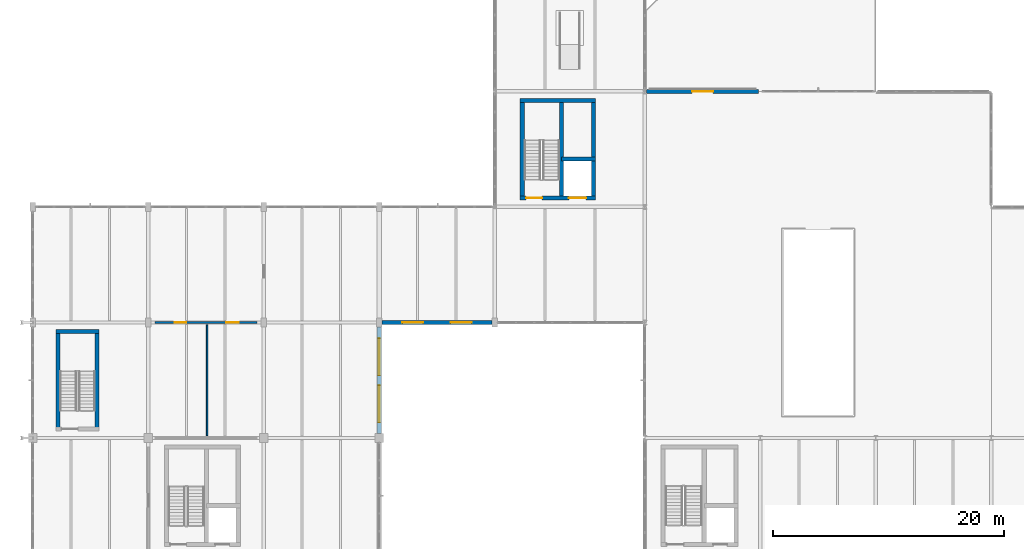
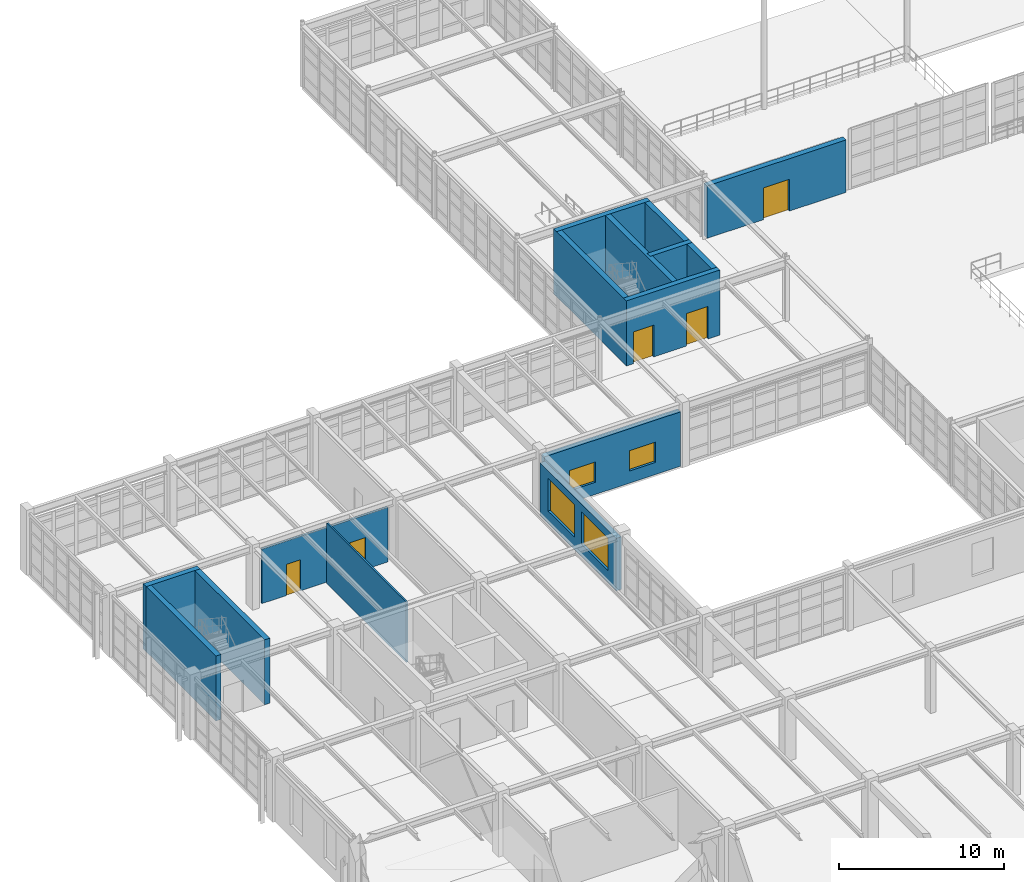
# One storey, part 119 of 139: 14 walls, 5 doors, 4 windows, 9 openings.
"""IFC4 building model written with IfcOpenShell, lengths in metres."""

from ifc_helpers import new_model, si_unit, direction, frame, frame_2d, origin, place, context, subcontext, project, spatial, rectangle, extrude, material, layer, layer_set, type_object, element, fill, save


model = new_model("IFC4")

# Units and contexts
model_context = context("Model", 3, precision=1e-05, world=origin(), true_north=direction((0.0, 1.0)))
body_context = subcontext(model_context, "Body", "Model", "MODEL_VIEW")
ifc_project = project(units=[si_unit("LENGTHUNIT", "METRE"), si_unit("AREAUNIT", "SQUARE_METRE"), si_unit("VOLUMEUNIT", "CUBIC_METRE"), si_unit("PLANEANGLEUNIT", "RADIAN"), si_unit("MASSUNIT", "GRAM", prefix="KILO"), si_unit("THERMODYNAMICTEMPERATUREUNIT", "KELVIN"), si_unit("POWERUNIT", "WATT")], contexts=[model_context])

# Site, building, storey
site_placement = place(None, origin())
site = spatial("IfcSite", under=ifc_project, at=site_placement, CompositionType="ELEMENT")
building_placement = place(site_placement, origin())
building = spatial("IfcBuilding", under=site, at=building_placement, Name="Korenveer Ferry Terminal", CompositionType="ELEMENT")
storey_placement = place(building_placement, frame((0.0, 0.0, 5.39990234375)))
storey = spatial("IfcBuildingStorey", under=building, at=storey_placement, Name="L01", CompositionType="ELEMENT", Elevation=5.39990234375)

# Wall, openings, windows
ifc_material_1 = material(Name="Insulated clinker brick masonry", Category="masonry")
ifc_layer_1 = layer(ifc_material_1, 0.3798828125)
ifc_layer_set_1 = layer_set([ifc_layer_1], Name="Insulated clinker brick masonry")
wall_type_1 = type_object("IfcWallType", Name="ENV-WL-BRK380", PredefinedType="SOLIDWALL", material=ifc_layer_set_1)
wall_1_placement = place(storey_placement, frame((30.25, 70.0, 0.0), z_axis=(0.0, 0.0, 1.0), x_axis=(1.0, 0.0, 0.0)))
wall_1 = element("IfcWall", 1, at=wall_1_placement, inside=storey, type_object=wall_type_1, Name="Exterior facade wall EWL-L01-044", PredefinedType="SOLIDWALL", context=body_context, shape_type="SweptSolid", body=[
    extrude(rectangle(XDim=9.5, YDim=0.3798828125, at=frame_2d((4.75, 0.0))), origin(), (0.0, 0.0, 1.0), 4.02001953125),
])
opening_1_placement = place(wall_1_placement, frame((1.760009765625, 0.0, 0.89990234375)))
opening_1 = element("IfcOpeningElement", 2, at=opening_1_placement, cuts=wall_1, Name="Opening WN-17", PredefinedType="OPENING", context=body_context, shape_type="SweptSolid", body=[
    extrude(rectangle(XDim=1.800048828125, YDim=1.5, at=frame_2d((0.89990234375, 0.75))), frame((0.0, 0.199951171875, 0.0), z_axis=(0.0, -1.0, 0.0), x_axis=(1.0, 0.0, 0.0)), (0.0, 0.0, 1.0), 0.39990234375),
])
opening_2_placement = place(wall_1_placement, frame((5.93994140625, 0.0, 0.89990234375)))
opening_2 = element("IfcOpeningElement", 3, at=opening_2_placement, cuts=wall_1, Name="Opening WN-17", PredefinedType="OPENING", context=body_context, shape_type="SweptSolid", body=[
    extrude(rectangle(XDim=1.800048828125, YDim=1.5, at=frame_2d((0.89990234375, 0.75))), frame((0.0, 0.199951171875, 0.0), z_axis=(0.0, -1.0, 0.0), x_axis=(1.0, 0.0, 0.0)), (0.0, 0.0, 1.0), 0.39990234375),
])
ifc_material_2 = material(Name="Low-iron triple glazing in bronze frame", Category="glass")
window_type_1 = type_object("IfcWindowType", Name="ENV-WN-17", PartitioningType="SINGLE_PANEL", PredefinedType="WINDOW", material=ifc_material_2)
window_1_placement = place(opening_1_placement, origin())
window_1 = element("IfcWindow", 4, at=window_1_placement, inside=storey, type_object=window_type_1, Name="Lancet facade window 43", OverallHeight=1.5, OverallWidth=1.800048828125, PartitioningType="SINGLE_PANEL", PredefinedType="WINDOW", context=body_context, shape_type="SweptSolid", body=[
    extrude(rectangle(XDim=1.800048828125, YDim=1.5, at=frame_2d((0.89990234375, 0.75))), frame((0.0, 0.030029296875, 0.0), z_axis=(0.0, -1.0, 0.0), x_axis=(1.0, 0.0, 0.0)), (0.0, 0.0, 1.0), 0.06005859375),
])
fill(opening_1, window_1)
window_2_placement = place(opening_2_placement, origin())
window_2 = element("IfcWindow", 5, at=window_2_placement, inside=storey, type_object=window_type_1, Name="Lancet facade window 44", OverallHeight=1.5, OverallWidth=1.800048828125, PartitioningType="SINGLE_PANEL", PredefinedType="WINDOW", context=body_context, shape_type="SweptSolid", body=[
    extrude(rectangle(XDim=1.800048828125, YDim=1.5, at=frame_2d((0.89990234375, 0.75))), frame((0.0, 0.030029296875, 0.0), z_axis=(0.0, -1.0, 0.0), x_axis=(1.0, 0.0, 0.0)), (0.0, 0.0, 1.0), 0.06005859375),
])
fill(opening_2, window_2)

# Wall, opening, door
wall_2_placement = place(storey_placement, frame((53.14990234375, 90.0, 0.0), z_axis=(0.0, 0.0, 1.0), x_axis=(1.0, 0.0, 0.0)))
wall_2 = element("IfcWall", 6, at=wall_2_placement, inside=storey, type_object=wall_type_1, Name="Exterior facade wall EWL-L01-046", PredefinedType="SOLIDWALL", context=body_context, shape_type="SweptSolid", body=[
    extrude(rectangle(XDim=9.7001953125, YDim=0.3798828125, at=frame_2d((4.85009765625, 0.0))), origin(), (0.0, 0.0, 1.0), 3.8701171875),
])
opening_3_placement = place(wall_2_placement, frame((3.949951171875, 0.0, 0.0)))
opening_3 = element("IfcOpeningElement", 7, at=opening_3_placement, cuts=wall_2, Name="Opening TD-103", PredefinedType="OPENING", context=body_context, shape_type="SweptSolid", body=[
    extrude(rectangle(XDim=1.800048828125, YDim=2.35009765625, at=frame_2d((0.89990234375, 1.175048828125))), frame((0.0, 0.199951171875, 0.0), z_axis=(0.0, -1.0, 0.0), x_axis=(1.0, 0.0, 0.0)), (0.0, 0.0, 1.0), 0.39990234375),
])
ifc_material_3 = material(Name="Thermally broken bronze glazed door", Category="aluminium")
door_type_1 = type_object("IfcDoorType", Name="ENV-DR-TERR180", OperationType="DOUBLE_DOOR_SINGLE_SWING", PredefinedType="DOOR", material=ifc_material_3)
door_1_placement = place(opening_3_placement, origin())
door_1 = element("IfcDoor", 8, at=door_1_placement, inside=storey, type_object=door_type_1, Name="West Prow Terrace Door TD-103", OperationType="DOUBLE_DOOR_SINGLE_SWING", OverallHeight=2.35009765625, OverallWidth=1.800048828125, PredefinedType="DOOR", context=body_context, shape_type="SweptSolid", body=[
    extrude(rectangle(XDim=1.800048828125, YDim=2.35009765625, at=frame_2d((0.89990234375, 1.175048828125))), frame((0.0, 0.02490234375, 0.0), z_axis=(0.0, -1.0, 0.0), x_axis=(1.0, 0.0, 0.0)), (0.0, 0.0, 1.0), 0.050048828125),
])
fill(opening_3, door_1)

# Wall, openings, windows
wall_3_placement = place(storey_placement, frame((30.0, 69.60009765625, 0.0), z_axis=(0.0, 0.0, 1.0), x_axis=(0.0, -1.0, 0.0)))
wall_3 = element("IfcWall", 9, at=wall_3_placement, inside=storey, type_object=wall_type_1, Name="Exterior facade wall EWL-L01-050", PredefinedType="SOLIDWALL", context=body_context, shape_type="SweptSolid", body=[
    extrude(rectangle(XDim=9.22509765625, YDim=0.3798828125, at=frame_2d((4.612548828125, 0.0))), origin(), (0.0, 0.0, 1.0), 3.8701171875),
])
opening_4_placement = place(wall_3_placement, frame((0.98291015625, 0.0, 0.89990234375)))
opening_4 = element("IfcOpeningElement", 10, at=opening_4_placement, cuts=wall_3, Name="Opening WN-40", PredefinedType="OPENING", context=body_context, shape_type="SweptSolid", body=[
    extrude(rectangle(XDim=3.199951171875, YDim=2.39990234375, at=frame_2d((1.60009765625, 1.199951171875))), frame((0.0, 0.199951171875, 0.0), z_axis=(0.0, -1.0, 0.0), x_axis=(1.0, 0.0, 0.0)), (0.0, 0.0, 1.0), 0.39990234375),
])
opening_5_placement = place(wall_3_placement, frame((5.0419921875, 0.0, 0.89990234375)))
opening_5 = element("IfcOpeningElement", 11, at=opening_5_placement, cuts=wall_3, Name="Opening WN-40", PredefinedType="OPENING", context=body_context, shape_type="SweptSolid", body=[
    extrude(rectangle(XDim=3.199951171875, YDim=2.39990234375, at=frame_2d((1.60009765625, 1.199951171875))), frame((0.0, 0.199951171875, 0.0), z_axis=(0.0, -1.0, 0.0), x_axis=(1.0, 0.0, 0.0)), (0.0, 0.0, 1.0), 0.39990234375),
])
window_type_2 = type_object("IfcWindowType", Name="ENV-WN-40", PartitioningType="SINGLE_PANEL", PredefinedType="WINDOW", material=ifc_material_2)
window_3_placement = place(opening_4_placement, origin())
window_3 = element("IfcWindow", 12, at=window_3_placement, inside=storey, type_object=window_type_2, Name="Lancet facade window 51", OverallHeight=2.39990234375, OverallWidth=3.199951171875, PartitioningType="SINGLE_PANEL", PredefinedType="WINDOW", context=body_context, shape_type="SweptSolid", body=[
    extrude(rectangle(XDim=3.199951171875, YDim=2.39990234375, at=frame_2d((1.60009765625, 1.199951171875))), frame((0.0, 0.030029296875, 0.0), z_axis=(0.0, -1.0, 0.0), x_axis=(1.0, 0.0, 0.0)), (0.0, 0.0, 1.0), 0.06005859375),
])
fill(opening_4, window_3)
window_4_placement = place(opening_5_placement, origin())
window_4 = element("IfcWindow", 13, at=window_4_placement, inside=storey, type_object=window_type_2, Name="Lancet facade window 52", OverallHeight=2.39990234375, OverallWidth=3.199951171875, PartitioningType="SINGLE_PANEL", PredefinedType="WINDOW", context=body_context, shape_type="SweptSolid", body=[
    extrude(rectangle(XDim=3.199951171875, YDim=2.39990234375, at=frame_2d((1.60009765625, 1.199951171875))), frame((0.0, 0.030029296875, 0.0), z_axis=(0.0, -1.0, 0.0), x_axis=(1.0, 0.0, 0.0)), (0.0, 0.0, 1.0), 0.06005859375),
])
fill(opening_5, window_4)

# Wall, openings, doors
ifc_material_4 = material(Name="Concrete C45/55", Category="concrete")
ifc_layer_2 = layer(ifc_material_4, 0.360107421875)
ifc_layer_set_2 = layer_set([ifc_layer_2], Name="Concrete C45/55")
wall_type_2 = type_object("IfcWallType", Name="INT-WL-CORE360", PredefinedType="SHEAR", material=ifc_layer_set_2)
wall_4_placement = place(storey_placement, frame((42.199951171875, 80.780029296875, 0.0), z_axis=(0.0, 0.0, 1.0), x_axis=(1.0, 0.0, 0.0)))
wall_4 = element("IfcWall", 14, at=wall_4_placement, inside=storey, type_object=wall_type_2, Name="West Berth Pier Core K7 south shear wall L01", PredefinedType="SHEAR", context=body_context, shape_type="SweptSolid", body=[
    extrude(rectangle(XDim=6.52001953125, YDim=0.360107421875, at=frame_2d((3.260009765625, 0.0))), origin(), (0.0, 0.0, 1.0), 4.800048828125),
])
opening_6_placement = place(wall_4_placement, frame((0.510009765625, 0.0, 0.0)))
opening_6 = element("IfcOpeningElement", 15, at=opening_6_placement, cuts=wall_4, Name="Opening SD-24", PredefinedType="OPENING", context=body_context, shape_type="SweptSolid", body=[
    extrude(rectangle(XDim=1.39990234375, YDim=2.35009765625, at=frame_2d((0.699951171875, 1.175048828125))), frame((0.0, 0.18994140625, 0.0), z_axis=(0.0, -1.0, 0.0), x_axis=(1.0, 0.0, 0.0)), (0.0, 0.0, 1.0), 0.380126953125),
])
opening_7_placement = place(wall_4_placement, frame((4.2099609375, 0.0, 0.0)))
opening_7 = element("IfcOpeningElement", 16, at=opening_7_placement, cuts=wall_4, Name="Opening LD-24", PredefinedType="OPENING", context=body_context, shape_type="SweptSolid", body=[
    extrude(rectangle(XDim=1.5, YDim=2.39990234375, at=frame_2d((0.75, 1.199951171875))), frame((0.0, 0.18994140625, 0.0), z_axis=(0.0, -1.0, 0.0), x_axis=(1.0, 0.0, 0.0)), (0.0, 0.0, 1.0), 0.380126953125),
])
ifc_material_5 = material(Name="Solid hardwood and steel acoustic door", Category="steel")
door_type_2 = type_object("IfcDoorType", Name="INT-DR-LD150", OperationType="SLIDING_TO_LEFT", PredefinedType="DOOR", material=ifc_material_5)
door_2_placement = place(opening_7_placement, origin())
door_2 = element("IfcDoor", 17, at=door_2_placement, inside=storey, type_object=door_type_2, Name="Lift LG1 Sliding Landing Door L01", OperationType="SLIDING_TO_LEFT", OverallHeight=2.39990234375, OverallWidth=1.5, PredefinedType="DOOR", context=body_context, shape_type="SweptSolid", body=[
    extrude(rectangle(XDim=1.5, YDim=2.39990234375, at=frame_2d((0.75, 1.199951171875))), frame((0.0, 0.02490234375, 0.0), z_axis=(0.0, -1.0, 0.0), x_axis=(1.0, 0.0, 0.0)), (0.0, 0.0, 1.0), 0.050048828125),
])
fill(opening_7, door_2)
door_type_3 = type_object("IfcDoorType", Name="INT-DR-ST140", OperationType="NOTDEFINED", PredefinedType="DOOR", material=ifc_material_5)
door_3_placement = place(opening_6_placement, origin())
door_3 = element("IfcDoor", 18, at=door_3_placement, inside=storey, type_object=door_type_3, Name="ST07 Stair Door L01", OperationType="SINGLE_SWING_RIGHT", OverallHeight=2.35009765625, OverallWidth=1.39990234375, PredefinedType="DOOR", context=body_context, shape_type="SweptSolid", body=[
    extrude(rectangle(XDim=1.39990234375, YDim=2.35009765625, at=frame_2d((0.699951171875, 1.175048828125))), frame((0.0, 0.02490234375, 0.0), z_axis=(0.0, -1.0, 0.0), x_axis=(1.0, 0.0, 0.0)), (0.0, 0.0, 1.0), 0.050048828125),
])
fill(opening_6, door_3)

# Walls
wall_5_placement = place(storey_placement, frame((42.199951171875, 89.219970703125, 0.0), z_axis=(0.0, 0.0, 1.0), x_axis=(1.0, 0.0, 0.0)))
element("IfcWall", 19, at=wall_5_placement, inside=storey, type_object=wall_type_2, Name="West Berth Pier Core K7 north shear wall L01", PredefinedType="SHEAR", context=body_context, shape_type="SweptSolid", body=[
    extrude(rectangle(XDim=6.52001953125, YDim=0.360107421875, at=frame_2d((3.260009765625, 0.0))), origin(), (0.0, 0.0, 1.0), 4.800048828125),
])
for number, where, z_axis, x_axis, name in (
    (20, (42.3798828125, 80.60009765625, 0.0), (0.0, 0.0, 1.0), (0.0, 1.0, 0.0), "West Berth Pier Core K7 west shear wall L01"),
    (21, (48.5400390625, 80.60009765625, 0.0), (0.0, 0.0, 1.0), (0.0, 1.0, 0.0), "West Berth Pier Core K7 east shear wall L01"),
    (22, (45.780029296875, 80.60009765625, 0.0), (0.0, 0.0, 1.0), (0.0, 1.0, 0.0), "West Berth Pier Core K7 shaft divider wall L01"),
):
    element("IfcWall", number, at=place(storey_placement, frame(where, z_axis=z_axis, x_axis=x_axis)), inside=storey, type_object=wall_type_2, Name=name, PredefinedType="SHEAR", context=body_context, shape_type="SweptSolid", body=[
        extrude(rectangle(XDim=8.7998046875, YDim=0.360107421875, at=frame_2d((4.39990234375, 0.0))), origin(), (0.0, 0.0, 1.0), 4.800048828125),
    ])
wall_6_placement = place(storey_placement, frame((45.780029296875, 84.139892578125, 0.0), z_axis=(0.0, 0.0, 1.0), x_axis=(1.0, 0.0, 0.0)))
element("IfcWall", 23, at=wall_6_placement, inside=storey, type_object=wall_type_2, Name="West Berth Pier Core K7 lift shaft wall L01", PredefinedType="SHEAR", context=body_context, shape_type="SweptSolid", body=[
    extrude(rectangle(XDim=2.93994140625, YDim=0.360107421875, at=frame_2d((1.469970703125, 0.0))), origin(), (0.0, 0.0, 1.0), 4.800048828125),
])
wall_7_placement = place(storey_placement, frame((2.0, 69.219970703125, 0.0), z_axis=(0.0, 0.0, 1.0), x_axis=(1.0, 0.0, 0.0)))
element("IfcWall", 24, at=wall_7_placement, inside=storey, type_object=wall_type_2, Name="Harbourmaster North Stair Core K11 north shear wall L01", PredefinedType="SHEAR", context=body_context, shape_type="SweptSolid", body=[
    extrude(rectangle(XDim=3.760009765625, YDim=0.360107421875, at=frame_2d((1.8798828125, 0.0))), origin(), (0.0, 0.0, 1.0), 4.800048828125),
])
for number, where, z_axis, x_axis, name in (
    (25, (2.179931640625, 60.60009765625, 0.0), (0.0, 0.0, 1.0), (0.0, 1.0, 0.0), "Harbourmaster North Stair Core K11 west shear wall L01"),
    (26, (5.580078125, 60.60009765625, 0.0), (0.0, 0.0, 1.0), (0.0, 1.0, 0.0), "Harbourmaster North Stair Core K11 east shear wall L01"),
):
    element("IfcWall", number, at=place(storey_placement, frame(where, z_axis=z_axis, x_axis=x_axis)), inside=storey, type_object=wall_type_2, Name=name, PredefinedType="SHEAR", context=body_context, shape_type="SweptSolid", body=[
        extrude(rectangle(XDim=8.7998046875, YDim=0.360107421875, at=frame_2d((4.39990234375, 0.0))), origin(), (0.0, 0.0, 1.0), 4.800048828125),
    ])
ifc_material_6 = material(Name="Lightweight wet-room stud partition", Category="other")
ifc_layer_3 = layer(ifc_material_6, 0.1201171875)
ifc_layer_set_3 = layer_set([ifc_layer_3], Name="Lightweight wet-room stud partition")
wall_type_3 = type_object("IfcWallType", Name="INT-WL-PART120", PredefinedType="PARTITIONING", material=ifc_layer_set_3)
wall_8_placement = place(storey_placement, frame((15.10009765625, 60.199951171875, 0.0), z_axis=(0.0, 0.0, 1.0), x_axis=(0.0, 1.0, 0.0)))
element("IfcWall", 27, at=wall_8_placement, inside=storey, type_object=wall_type_3, Name="Interior partition PWL-L01-027", PredefinedType="PARTITIONING", context=body_context, shape_type="SweptSolid", body=[
    extrude(rectangle(XDim=9.60009765625, YDim=0.1201171875, at=frame_2d((4.800048828125, 0.0))), origin(), (0.0, 0.0, 1.0), 4.460205078125),
])

# Wall, openings, doors
ifc_material_7 = material(Name="Acoustic gypsum board stud partition", Category="other")
ifc_layer_4 = layer(ifc_material_7, 0.14990234375)
ifc_layer_set_4 = layer_set([ifc_layer_4], Name="Acoustic gypsum board stud partition")
wall_type_4 = type_object("IfcWallType", Name="INT-WL-PART150", PredefinedType="PARTITIONING", material=ifc_layer_set_4)
wall_9_placement = place(storey_placement, frame((10.60009765625, 70.0, 0.0), z_axis=(0.0, 0.0, 1.0), x_axis=(1.0, 0.0, 0.0)))
wall_9 = element("IfcWall", 28, at=wall_9_placement, inside=storey, type_object=wall_type_4, Name="Interior partition PWL-L01-028", PredefinedType="PARTITIONING", context=body_context, shape_type="SweptSolid", body=[
    extrude(rectangle(XDim=8.7998046875, YDim=0.14990234375, at=frame_2d((4.39990234375, 0.0))), origin(), (0.0, 0.0, 1.0), 4.02001953125),
])
opening_8_placement = place(wall_9_placement, frame((1.7099609375, 0.0, 0.0)))
opening_8 = element("IfcOpeningElement", 29, at=opening_8_placement, cuts=wall_9, Name="Opening ID-033", PredefinedType="OPENING", context=body_context, shape_type="SweptSolid", body=[
    extrude(rectangle(XDim=0.97998046875, YDim=2.300048828125, at=frame_2d((0.489990234375, 1.14990234375))), frame((0.0, 0.0849609375, 0.0), z_axis=(0.0, -1.0, 0.0), x_axis=(1.0, 0.0, 0.0)), (0.0, 0.0, 1.0), 0.169921875),
])
opening_9_placement = place(wall_9_placement, frame((6.14794921875, 0.0, 0.0)))
opening_9 = element("IfcOpeningElement", 30, at=opening_9_placement, cuts=wall_9, Name="Opening ID-034", PredefinedType="OPENING", context=body_context, shape_type="SweptSolid", body=[
    extrude(rectangle(XDim=1.080078125, YDim=2.35009765625, at=frame_2d((0.5400390625, 1.175048828125))), frame((0.0, 0.0849609375, 0.0), z_axis=(0.0, -1.0, 0.0), x_axis=(1.0, 0.0, 0.0)), (0.0, 0.0, 1.0), 0.169921875),
])
door_type_4 = type_object("IfcDoorType", Name="INT-DR-AWC108", OperationType="NOTDEFINED", PredefinedType="DOOR", material=ifc_material_5)
door_4_placement = place(opening_9_placement, origin())
door_4 = element("IfcDoor", 31, at=door_4_placement, inside=storey, type_object=door_type_4, Name="L01 West Accessible WC Door", OperationType="SINGLE_SWING_LEFT", OverallHeight=2.35009765625, OverallWidth=1.080078125, PredefinedType="DOOR", context=body_context, shape_type="SweptSolid", body=[
    extrude(rectangle(XDim=1.080078125, YDim=2.35009765625, at=frame_2d((0.5400390625, 1.175048828125))), frame((0.0, 0.02490234375, 0.0), z_axis=(0.0, -1.0, 0.0), x_axis=(1.0, 0.0, 0.0)), (0.0, 0.0, 1.0), 0.050048828125),
])
fill(opening_9, door_4)
door_type_5 = type_object("IfcDoorType", Name="INT-DR-WC098", OperationType="NOTDEFINED", PredefinedType="DOOR", material=ifc_material_5)
door_5_placement = place(opening_8_placement, origin())
door_5 = element("IfcDoor", 32, at=door_5_placement, inside=storey, type_object=door_type_5, Name="L01 West Public WC Door", OperationType="SINGLE_SWING_RIGHT", OverallHeight=2.300048828125, OverallWidth=0.97998046875, PredefinedType="DOOR", context=body_context, shape_type="SweptSolid", body=[
    extrude(rectangle(XDim=0.97998046875, YDim=2.300048828125, at=frame_2d((0.489990234375, 1.14990234375))), frame((0.0, 0.02490234375, 0.0), z_axis=(0.0, -1.0, 0.0), x_axis=(1.0, 0.0, 0.0)), (0.0, 0.0, 1.0), 0.050048828125),
])
fill(opening_8, door_5)

save(model, "model.ifc")
